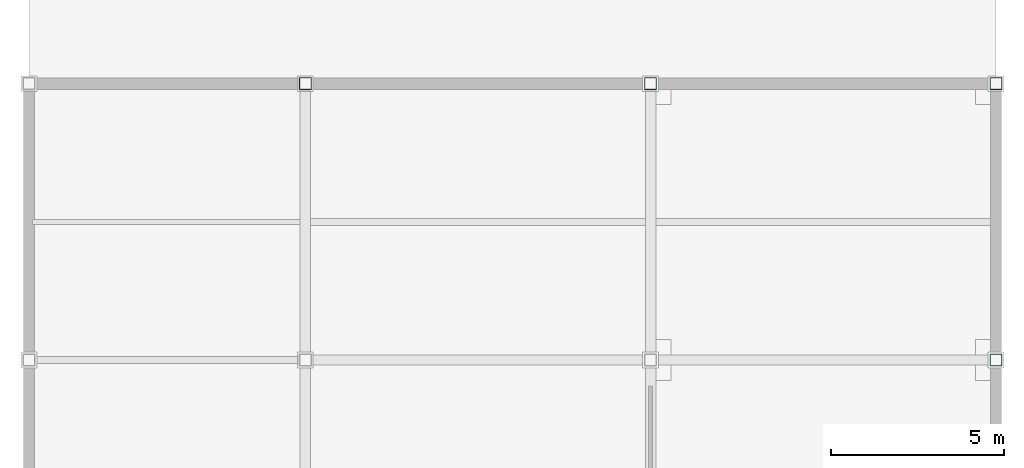
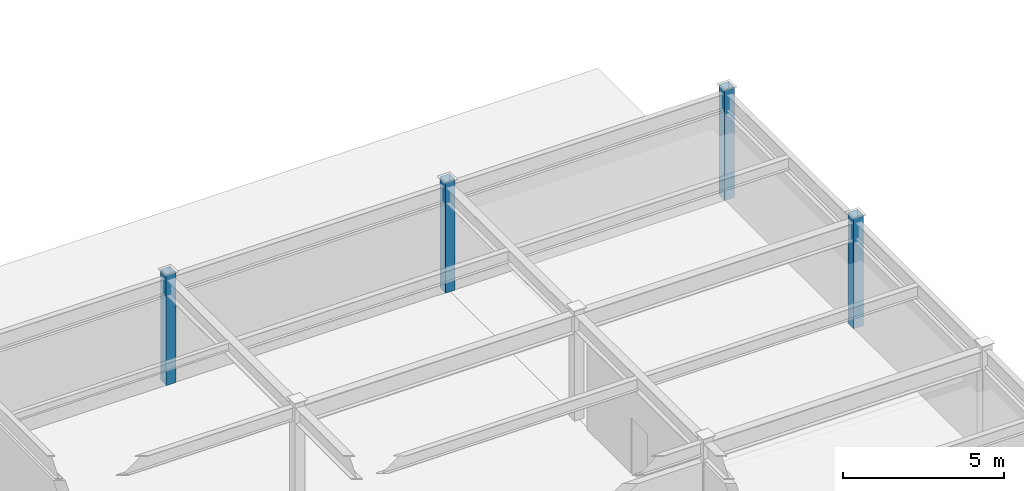
# One storey, part 15 of 78: 4 columns.
"""IFC4 building model written with IfcOpenShell, lengths in metres."""

from ifc_helpers import new_model, si_unit, direction, frame, origin, origin_2d, place, context, subcontext, project, spatial, hollow_rectangle, extrude, material, material_profile, profile_set, type_object, element, save


model = new_model("IFC4")

# Units and contexts
model_context = context("Model", 3, precision=1e-05, world=origin(), true_north=direction((0.0, 1.0)))
body_context = subcontext(model_context, "Body", "Model", "MODEL_VIEW")
ifc_project = project(units=[si_unit("LENGTHUNIT", "METRE"), si_unit("AREAUNIT", "SQUARE_METRE"), si_unit("VOLUMEUNIT", "CUBIC_METRE"), si_unit("PLANEANGLEUNIT", "RADIAN"), si_unit("MASSUNIT", "GRAM", prefix="KILO")], contexts=[model_context])

# Site, building, storey
site_placement = place(None, origin())
site = spatial("IfcSite", under=ifc_project, at=site_placement, CompositionType="ELEMENT")
building_placement = place(site_placement, origin())
building = spatial("IfcBuilding", under=site, at=building_placement, Name="Haebicheon Civic Stadium", CompositionType="ELEMENT")
storey_placement = place(building_placement, frame((0.0, 0.0, 18.60009765625)))
storey = spatial("IfcBuildingStorey", under=building, at=storey_placement, Name="L05", CompositionType="ELEMENT", Elevation=18.60009765625)

# Columns
ifc_material = material(Name="Steel SM490", Category="steel")
ifc_material_profile = material_profile(ifc_material, hollow_rectangle(XDim=0.35009765625, YDim=0.35009765625, WallThickness=0.01611328125, at=origin_2d()), Name="RHS-350x350x16.0")
ifc_profile_set = profile_set([ifc_material_profile], Name="Steel SM490")
column_type = type_object("IfcColumnType", Name="COL-ST-RHS350", PredefinedType="COLUMN", material=ifc_profile_set)
for number, where, z_axis, x_axis, name in (
    (1, (216.0, 128.0, 0.0), (0.0, 0.0, 1.0), (1.0, 0.0, 0.0), "L05 column 28/S"),
    (2, (226.0, 128.0, 0.0), (0.0, 0.0, 1.0), (1.0, 0.0, 0.0), "L05 column 29/S"),
    (3, (236.0, 120.0, 0.0), (0.0, 0.0, 1.0), (1.0, 0.0, 0.0), "L05 column 30/R"),
    (4, (236.0, 128.0, 0.0), (0.0, 0.0, 1.0), (1.0, 0.0, 0.0), "L05 column 30/S"),
):
    element("IfcColumn", number, at=place(storey_placement, frame(where, z_axis=z_axis, x_axis=x_axis)), inside=storey, type_object=column_type, material=ifc_profile_set, Name=name, PredefinedType="COLUMN", context=body_context, shape_type="SweptSolid", body=[
        extrude(hollow_rectangle(XDim=0.35009765625, YDim=0.35009765625, WallThickness=0.01611328125, at=origin_2d()), origin(), (0.0, 0.0, 1.0), 4.199951171875),
    ])

save(model, "model.ifc")
